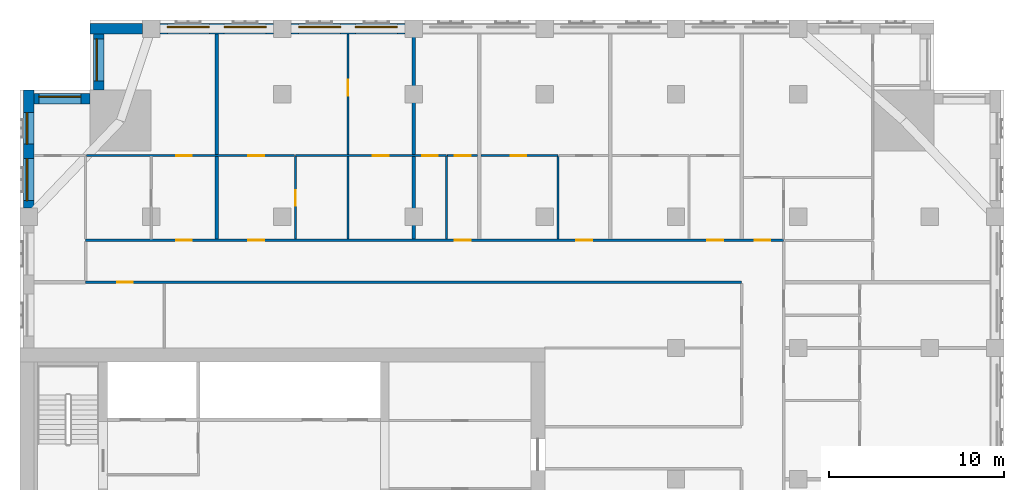
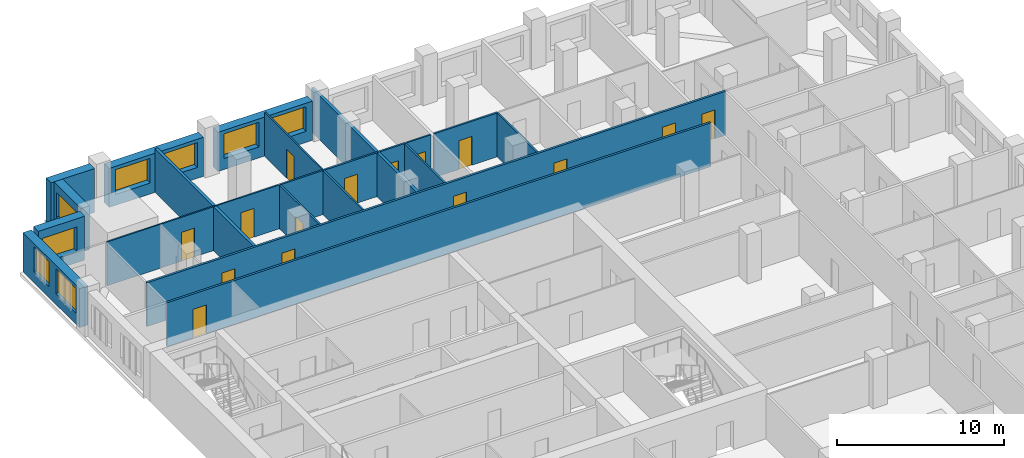
# One storey, part 9 of 14: 19 walls, 15 doors, 8 windows, 23 openings.
"""IFC4 building model written with IfcOpenShell, lengths in metres."""

from ifc_helpers import new_model, si_unit, direction, frame, frame_2d, origin, place, context, subcontext, project, spatial, rectangle, extrude, material, layer, layer_set, type_object, element, fill, save


model = new_model("IFC4")

# Units and contexts
model_context = context("Model", 3, precision=1e-05, world=origin(), true_north=direction((0.0, 1.0)))
body_context = subcontext(model_context, "Body", "Model", "MODEL_VIEW")
ifc_project = project(units=[si_unit("LENGTHUNIT", "METRE"), si_unit("AREAUNIT", "SQUARE_METRE"), si_unit("VOLUMEUNIT", "CUBIC_METRE"), si_unit("PLANEANGLEUNIT", "RADIAN"), si_unit("MASSUNIT", "GRAM", prefix="KILO")], contexts=[model_context])

# Site, building, storey
site_placement = place(None, origin())
site = spatial("IfcSite", under=ifc_project, at=site_placement, CompositionType="ELEMENT")
building_placement = place(site_placement, origin())
building = spatial("IfcBuilding", under=site, at=building_placement, Name="Tamorin Gate", CompositionType="ELEMENT")
storey_placement = place(building_placement, frame((0.0, 0.0, 162.60009765625)))
storey = spatial("IfcBuildingStorey", under=building, at=storey_placement, Name="L40", CompositionType="ELEMENT", Elevation=162.60009765625)

# Wall, openings, windows
ifc_material_1 = material(Name="Precast concrete C40/50", Category="concrete")
ifc_layer_1 = layer(ifc_material_1, 0.60009765625)
ifc_layer_set_1 = layer_set([ifc_layer_1], Name="Precast concrete C40/50")
wall_type_1 = type_object("IfcWallType", Name="Board-marked concrete facade panel 600", PredefinedType="SOLIDWALL", material=ifc_layer_set_1)
wall_1_placement = place(storey_placement, frame((52.0, 100.75, 0.0), z_axis=(0.0, 0.0, 1.0), x_axis=(-1.0, 0.0, 0.0)))
wall_1 = element("IfcWall", 1, at=wall_1_placement, inside=storey, type_object=wall_type_1, Name="Facade panel", PredefinedType="SOLIDWALL", context=body_context, shape_type="SweptSolid", body=[
    extrude(rectangle(XDim=6.5, YDim=0.60009765625, at=frame_2d((3.25, 0.0))), origin(), (0.0, 0.0, 1.0), 2.849853515625),
])
opening_1_placement = place(wall_1_placement, frame((3.675048828125, 0.0, 0.800048828125)))
opening_1 = element("IfcOpeningElement", 2, at=opening_1_placement, cuts=wall_1, Name="Opening WN1", PredefinedType="OPENING", context=body_context, shape_type="SweptSolid", body=[
    extrude(rectangle(XDim=2.39990234375, YDim=1.800048828125, at=frame_2d((1.199951171875, 0.89990234375))), frame((0.0, 0.31005859375, 0.0), z_axis=(0.0, -1.0, 0.0), x_axis=(1.0, 0.0, 0.0)), (0.0, 0.0, 1.0), 0.6201171875),
])
opening_2_placement = place(wall_1_placement, frame((0.425048828125, 0.0, 0.800048828125)))
opening_2 = element("IfcOpeningElement", 3, at=opening_2_placement, cuts=wall_1, Name="Opening WN1", PredefinedType="OPENING", context=body_context, shape_type="SweptSolid", body=[
    extrude(rectangle(XDim=2.39990234375, YDim=1.800048828125, at=frame_2d((1.199951171875, 0.89990234375))), frame((0.0, 0.31005859375, 0.0), z_axis=(0.0, -1.0, 0.0), x_axis=(1.0, 0.0, 0.0)), (0.0, 0.0, 1.0), 0.6201171875),
])
ifc_material_2 = material(Name="Clear glass in aluminium frame", Category="aluminium")
window_type_1 = type_object("IfcWindowType", Name="Deep-set window 2400x1800", PartitioningType="SINGLE_PANEL", PredefinedType="WINDOW", material=ifc_material_2)
window_1_placement = place(opening_1_placement, origin())
window_1 = element("IfcWindow", 4, at=window_1_placement, inside=storey, type_object=window_type_1, Name="Deep-set window", OverallHeight=1.800048828125, OverallWidth=2.39990234375, PartitioningType="SINGLE_PANEL", PredefinedType="WINDOW", context=body_context, shape_type="SweptSolid", body=[
    extrude(rectangle(XDim=2.39990234375, YDim=1.800048828125, at=frame_2d((1.199951171875, 0.89990234375))), frame((0.0, -0.070068359375, 0.0), z_axis=(0.0, -1.0, 0.0), x_axis=(1.0, 0.0, 0.0)), (0.0, 0.0, 1.0), 0.06005859375),
])
fill(opening_1, window_1)
window_2_placement = place(opening_2_placement, origin())
window_2 = element("IfcWindow", 5, at=window_2_placement, inside=storey, type_object=window_type_1, Name="Deep-set window", OverallHeight=1.800048828125, OverallWidth=2.39990234375, PartitioningType="SINGLE_PANEL", PredefinedType="WINDOW", context=body_context, shape_type="SweptSolid", body=[
    extrude(rectangle(XDim=2.39990234375, YDim=1.800048828125, at=frame_2d((1.199951171875, 0.89990234375))), frame((0.0, -0.070068359375, 0.0), z_axis=(0.0, -1.0, 0.0), x_axis=(1.0, 0.0, 0.0)), (0.0, 0.0, 1.0), 0.06005859375),
])
fill(opening_2, window_2)

wall_2_placement = place(storey_placement, frame((44.5, 100.75, 0.0), z_axis=(0.0, 0.0, 1.0), x_axis=(-1.0, 0.0, 0.0)))
wall_2 = element("IfcWall", 6, at=wall_2_placement, inside=storey, type_object=wall_type_1, Name="Facade panel", PredefinedType="SOLIDWALL", context=body_context, shape_type="SweptSolid", body=[
    extrude(rectangle(XDim=6.5, YDim=0.60009765625, at=frame_2d((3.25, 0.0))), origin(), (0.0, 0.0, 1.0), 2.849853515625),
])
opening_3_placement = place(wall_2_placement, frame((3.675048828125, 0.0, 0.800048828125)))
opening_3 = element("IfcOpeningElement", 7, at=opening_3_placement, cuts=wall_2, Name="Opening WN1", PredefinedType="OPENING", context=body_context, shape_type="SweptSolid", body=[
    extrude(rectangle(XDim=2.39990234375, YDim=1.800048828125, at=frame_2d((1.199951171875, 0.89990234375))), frame((0.0, 0.31005859375, 0.0), z_axis=(0.0, -1.0, 0.0), x_axis=(1.0, 0.0, 0.0)), (0.0, 0.0, 1.0), 0.6201171875),
])
opening_4_placement = place(wall_2_placement, frame((0.425048828125, 0.0, 0.800048828125)))
opening_4 = element("IfcOpeningElement", 8, at=opening_4_placement, cuts=wall_2, Name="Opening WN1", PredefinedType="OPENING", context=body_context, shape_type="SweptSolid", body=[
    extrude(rectangle(XDim=2.39990234375, YDim=1.800048828125, at=frame_2d((1.199951171875, 0.89990234375))), frame((0.0, 0.31005859375, 0.0), z_axis=(0.0, -1.0, 0.0), x_axis=(1.0, 0.0, 0.0)), (0.0, 0.0, 1.0), 0.6201171875),
])
window_3_placement = place(opening_3_placement, origin())
window_3 = element("IfcWindow", 9, at=window_3_placement, inside=storey, type_object=window_type_1, Name="Deep-set window", OverallHeight=1.800048828125, OverallWidth=2.39990234375, PartitioningType="SINGLE_PANEL", PredefinedType="WINDOW", context=body_context, shape_type="SweptSolid", body=[
    extrude(rectangle(XDim=2.39990234375, YDim=1.800048828125, at=frame_2d((1.199951171875, 0.89990234375))), frame((0.0, -0.070068359375, 0.0), z_axis=(0.0, -1.0, 0.0), x_axis=(1.0, 0.0, 0.0)), (0.0, 0.0, 1.0), 0.06005859375),
])
fill(opening_3, window_3)
window_4_placement = place(opening_4_placement, origin())
window_4 = element("IfcWindow", 10, at=window_4_placement, inside=storey, type_object=window_type_1, Name="Deep-set window", OverallHeight=1.800048828125, OverallWidth=2.39990234375, PartitioningType="SINGLE_PANEL", PredefinedType="WINDOW", context=body_context, shape_type="SweptSolid", body=[
    extrude(rectangle(XDim=2.39990234375, YDim=1.800048828125, at=frame_2d((1.199951171875, 0.89990234375))), frame((0.0, -0.070068359375, 0.0), z_axis=(0.0, -1.0, 0.0), x_axis=(1.0, 0.0, 0.0)), (0.0, 0.0, 1.0), 0.06005859375),
])
fill(opening_4, window_4)

# Wall
wall_3_placement = place(storey_placement, frame((37.0, 100.75, 0.0), z_axis=(0.0, 0.0, 1.0), x_axis=(-1.0, 0.0, 0.0)))
element("IfcWall", 11, at=wall_3_placement, inside=storey, type_object=wall_type_1, Name="Facade panel", PredefinedType="SOLIDWALL", context=body_context, shape_type="SweptSolid", body=[
    extrude(rectangle(XDim=3.0, YDim=0.60009765625, at=frame_2d((1.5, 0.0))), origin(), (0.0, 0.0, 1.0), 3.199951171875),
])

# Wall, opening, window
wall_4_placement = place(storey_placement, frame((34.5, 100.449951171875, 0.0), z_axis=(0.0, 0.0, 1.0), x_axis=(0.0, -1.0, 0.0)))
wall_4 = element("IfcWall", 12, at=wall_4_placement, inside=storey, type_object=wall_type_1, Name="Facade panel", PredefinedType="SOLIDWALL", context=body_context, shape_type="SweptSolid", body=[
    extrude(rectangle(XDim=3.199951171875, YDim=0.60009765625, at=frame_2d((1.60009765625, 0.0))), origin(), (0.0, 0.0, 1.0), 3.199951171875),
])
opening_5_placement = place(wall_4_placement, frame((0.27490234375, 0.0, 0.800048828125)))
opening_5 = element("IfcOpeningElement", 13, at=opening_5_placement, cuts=wall_4, Name="Opening WN1", PredefinedType="OPENING", context=body_context, shape_type="SweptSolid", body=[
    extrude(rectangle(XDim=2.39990234375, YDim=1.800048828125, at=frame_2d((1.199951171875, 0.89990234375))), frame((0.0, 0.31005859375, 0.0), z_axis=(0.0, -1.0, 0.0), x_axis=(1.0, 0.0, 0.0)), (0.0, 0.0, 1.0), 0.6201171875),
])
window_5_placement = place(opening_5_placement, origin())
window_5 = element("IfcWindow", 14, at=window_5_placement, inside=storey, type_object=window_type_1, Name="Deep-set window", OverallHeight=1.800048828125, OverallWidth=2.39990234375, PartitioningType="SINGLE_PANEL", PredefinedType="WINDOW", context=body_context, shape_type="SweptSolid", body=[
    extrude(rectangle(XDim=2.39990234375, YDim=1.800048828125, at=frame_2d((1.199951171875, 0.89990234375))), frame((0.0, -0.070068359375, 0.0), z_axis=(0.0, -1.0, 0.0), x_axis=(1.0, 0.0, 0.0)), (0.0, 0.0, 1.0), 0.06005859375),
])
fill(opening_5, window_5)

wall_5_placement = place(storey_placement, frame((34.0, 96.75, 0.0), z_axis=(0.0, 0.0, 1.0), x_axis=(-1.0, 0.0, 0.0)))
wall_5 = element("IfcWall", 15, at=wall_5_placement, inside=storey, type_object=wall_type_1, Name="Facade panel", PredefinedType="SOLIDWALL", context=body_context, shape_type="SweptSolid", body=[
    extrude(rectangle(XDim=3.199951171875, YDim=0.60009765625, at=frame_2d((1.60009765625, 0.0))), origin(), (0.0, 0.0, 1.0), 3.199951171875),
])
opening_6_placement = place(wall_5_placement, frame((0.52490234375, 0.0, 0.800048828125)))
opening_6 = element("IfcOpeningElement", 16, at=opening_6_placement, cuts=wall_5, Name="Opening WN1", PredefinedType="OPENING", context=body_context, shape_type="SweptSolid", body=[
    extrude(rectangle(XDim=2.39990234375, YDim=1.800048828125, at=frame_2d((1.199951171875, 0.89990234375))), frame((0.0, 0.31005859375, 0.0), z_axis=(0.0, -1.0, 0.0), x_axis=(1.0, 0.0, 0.0)), (0.0, 0.0, 1.0), 0.6201171875),
])
window_6_placement = place(opening_6_placement, origin())
window_6 = element("IfcWindow", 17, at=window_6_placement, inside=storey, type_object=window_type_1, Name="Deep-set window", OverallHeight=1.800048828125, OverallWidth=2.39990234375, PartitioningType="SINGLE_PANEL", PredefinedType="WINDOW", context=body_context, shape_type="SweptSolid", body=[
    extrude(rectangle(XDim=2.39990234375, YDim=1.800048828125, at=frame_2d((1.199951171875, 0.89990234375))), frame((0.0, -0.070068359375, 0.0), z_axis=(0.0, -1.0, 0.0), x_axis=(1.0, 0.0, 0.0)), (0.0, 0.0, 1.0), 0.06005859375),
])
fill(opening_6, window_6)

# Wall, openings, windows
wall_6_placement = place(storey_placement, frame((30.5, 97.25, 0.0), z_axis=(0.0, 0.0, 1.0), x_axis=(0.0, -1.0, 0.0)))
wall_6 = element("IfcWall", 18, at=wall_6_placement, inside=storey, type_object=wall_type_1, Name="Facade panel", PredefinedType="SOLIDWALL", context=body_context, shape_type="SweptSolid", body=[
    extrude(rectangle(XDim=6.75, YDim=0.60009765625, at=frame_2d((3.375, 0.0))), origin(), (0.0, 0.0, 1.0), 2.849853515625),
])
opening_7_placement = place(wall_6_placement, frame((3.925048828125, 0.0, 0.800048828125)))
opening_7 = element("IfcOpeningElement", 19, at=opening_7_placement, cuts=wall_6, Name="Opening WN1", PredefinedType="OPENING", context=body_context, shape_type="SweptSolid", body=[
    extrude(rectangle(XDim=2.39990234375, YDim=1.800048828125, at=frame_2d((1.199951171875, 0.89990234375))), frame((0.0, 0.31005859375, 0.0), z_axis=(0.0, -1.0, 0.0), x_axis=(1.0, 0.0, 0.0)), (0.0, 0.0, 1.0), 0.6201171875),
])
opening_8_placement = place(wall_6_placement, frame((1.300048828125, 0.0, 0.800048828125)))
opening_8 = element("IfcOpeningElement", 20, at=opening_8_placement, cuts=wall_6, Name="Opening WN2", PredefinedType="OPENING", context=body_context, shape_type="SweptSolid", body=[
    extrude(rectangle(XDim=1.800048828125, YDim=1.800048828125, at=frame_2d((0.89990234375, 0.89990234375))), frame((0.0, 0.31005859375, 0.0), z_axis=(0.0, -1.0, 0.0), x_axis=(1.0, 0.0, 0.0)), (0.0, 0.0, 1.0), 0.6201171875),
])
window_type_2 = type_object("IfcWindowType", Name="Deep-set window 1800x1800", PartitioningType="SINGLE_PANEL", PredefinedType="WINDOW", material=ifc_material_2)
window_7_placement = place(opening_8_placement, origin())
window_7 = element("IfcWindow", 21, at=window_7_placement, inside=storey, type_object=window_type_2, Name="Deep-set window", OverallHeight=1.800048828125, OverallWidth=1.800048828125, PartitioningType="SINGLE_PANEL", PredefinedType="WINDOW", context=body_context, shape_type="SweptSolid", body=[
    extrude(rectangle(XDim=1.800048828125, YDim=1.800048828125, at=frame_2d((0.89990234375, 0.89990234375))), frame((0.0, -0.070068359375, 0.0), z_axis=(0.0, -1.0, 0.0), x_axis=(1.0, 0.0, 0.0)), (0.0, 0.0, 1.0), 0.06005859375),
])
fill(opening_8, window_7)
window_8_placement = place(opening_7_placement, origin())
window_8 = element("IfcWindow", 22, at=window_8_placement, inside=storey, type_object=window_type_1, Name="Deep-set window", OverallHeight=1.800048828125, OverallWidth=2.39990234375, PartitioningType="SINGLE_PANEL", PredefinedType="WINDOW", context=body_context, shape_type="SweptSolid", body=[
    extrude(rectangle(XDim=2.39990234375, YDim=1.800048828125, at=frame_2d((1.199951171875, 0.89990234375))), frame((0.0, -0.070068359375, 0.0), z_axis=(0.0, -1.0, 0.0), x_axis=(1.0, 0.0, 0.0)), (0.0, 0.0, 1.0), 0.06005859375),
])
fill(opening_7, window_8)

# Wall, opening, door
ifc_material_3 = material(Name="Gypsum board partition")
ifc_layer_2 = layer(ifc_material_3, 0.14990234375)
ifc_layer_set_2 = layer_set([ifc_layer_2], Name="Corridor wall 150")
wall_type_2 = type_object("IfcWallType", Name="Corridor wall 150", PredefinedType="PARTITIONING", material=ifc_layer_set_2)
wall_7_placement = place(storey_placement, frame((33.75, 86.25, 0.0), z_axis=(0.0, 0.0, 1.0), x_axis=(1.0, 0.0, 0.0)))
wall_7 = element("IfcWall", 23, at=wall_7_placement, inside=storey, type_object=wall_type_2, Name="Corridor wall 150", PredefinedType="PARTITIONING", context=body_context, shape_type="SweptSolid", body=[
    extrude(rectangle(XDim=37.5, YDim=0.14990234375, at=frame_2d((18.75, 0.0))), origin(), (0.0, 0.0, 1.0), 3.199951171875),
])
opening_9_placement = place(wall_7_placement, frame((1.800048828125, 0.0, 0.0)))
opening_9 = element("IfcOpeningElement", 24, at=opening_9_placement, cuts=wall_7, Name="Opening DS2070", PredefinedType="OPENING", context=body_context, shape_type="SweptSolid", body=[
    extrude(rectangle(XDim=0.89990234375, YDim=2.10009765625, at=frame_2d((0.449951171875, 1.050048828125))), frame((0.0, 0.0849609375, 0.0), z_axis=(0.0, -1.0, 0.0), x_axis=(1.0, 0.0, 0.0)), (0.0, 0.0, 1.0), 0.169921875),
])
ifc_material_4 = material(Name="Timber door leaf", Category="wood")
door_type_1 = type_object("IfcDoorType", Name="Door 900 x 2100 FD30S", OperationType="NOTDEFINED", PredefinedType="DOOR", material=ifc_material_4)
door_1_placement = place(opening_9_placement, origin())
door_1 = element("IfcDoor", 25, at=door_1_placement, inside=storey, type_object=door_type_1, Name="Door DS2070", OperationType="SINGLE_SWING_RIGHT", OverallHeight=2.10009765625, OverallWidth=0.89990234375, PredefinedType="DOOR", context=body_context, shape_type="SweptSolid", body=[
    extrude(rectangle(XDim=0.89990234375, YDim=2.10009765625, at=frame_2d((0.449951171875, 1.050048828125))), frame((0.0, 0.02490234375, 0.0), z_axis=(0.0, -1.0, 0.0), x_axis=(1.0, 0.0, 0.0)), (0.0, 0.0, 1.0), 0.050048828125),
])
fill(opening_9, door_1)

# Wall, openings, doors
wall_8_placement = place(storey_placement, frame((33.75, 88.64990234375, 0.0), z_axis=(0.0, 0.0, 1.0), x_axis=(1.0, 0.0, 0.0)))
wall_8 = element("IfcWall", 26, at=wall_8_placement, inside=storey, type_object=wall_type_2, Name="Corridor wall 150", PredefinedType="PARTITIONING", context=body_context, shape_type="SweptSolid", body=[
    extrude(rectangle(XDim=39.89990234375, YDim=0.14990234375, at=frame_2d((19.949951171875, 0.0))), origin(), (0.0, 0.0, 1.0), 3.199951171875),
])
opening_10_placement = place(wall_8_placement, frame((5.175048828125, 0.0, 0.0)))
opening_10 = element("IfcOpeningElement", 27, at=opening_10_placement, cuts=wall_8, Name="Opening DS2021", PredefinedType="OPENING", context=body_context, shape_type="SweptSolid", body=[
    extrude(rectangle(XDim=0.89990234375, YDim=2.10009765625, at=frame_2d((0.449951171875, 1.050048828125))), frame((0.0, 0.0849609375, 0.0), z_axis=(0.0, -1.0, 0.0), x_axis=(1.0, 0.0, 0.0)), (0.0, 0.0, 1.0), 0.169921875),
])
opening_11_placement = place(wall_8_placement, frame((9.300048828125, 0.0, 0.0)))
opening_11 = element("IfcOpeningElement", 28, at=opening_11_placement, cuts=wall_8, Name="Opening DS2023", PredefinedType="OPENING", context=body_context, shape_type="SweptSolid", body=[
    extrude(rectangle(XDim=0.89990234375, YDim=2.10009765625, at=frame_2d((0.449951171875, 1.050048828125))), frame((0.0, 0.0849609375, 0.0), z_axis=(0.0, -1.0, 0.0), x_axis=(1.0, 0.0, 0.0)), (0.0, 0.0, 1.0), 0.169921875),
])
opening_12_placement = place(wall_8_placement, frame((21.112548828125, 0.0, 0.0)))
opening_12 = element("IfcOpeningElement", 29, at=opening_12_placement, cuts=wall_8, Name="Opening DS2029", PredefinedType="OPENING", context=body_context, shape_type="SweptSolid", body=[
    extrude(rectangle(XDim=0.89990234375, YDim=2.10009765625, at=frame_2d((0.449951171875, 1.050048828125))), frame((0.0, 0.0849609375, 0.0), z_axis=(0.0, -1.0, 0.0), x_axis=(1.0, 0.0, 0.0)), (0.0, 0.0, 1.0), 0.169921875),
])
opening_13_placement = place(wall_8_placement, frame((28.050048828125, 0.0, 0.0)))
opening_13 = element("IfcOpeningElement", 30, at=opening_13_placement, cuts=wall_8, Name="Opening DS2032", PredefinedType="OPENING", context=body_context, shape_type="SweptSolid", body=[
    extrude(rectangle(XDim=0.89990234375, YDim=2.10009765625, at=frame_2d((0.449951171875, 1.050048828125))), frame((0.0, 0.0849609375, 0.0), z_axis=(0.0, -1.0, 0.0), x_axis=(1.0, 0.0, 0.0)), (0.0, 0.0, 1.0), 0.169921875),
])
opening_14_placement = place(wall_8_placement, frame((35.550048828125, 0.0, 0.0)))
opening_14 = element("IfcOpeningElement", 31, at=opening_14_placement, cuts=wall_8, Name="Opening DS2035", PredefinedType="OPENING", context=body_context, shape_type="SweptSolid", body=[
    extrude(rectangle(XDim=0.89990234375, YDim=2.10009765625, at=frame_2d((0.449951171875, 1.050048828125))), frame((0.0, 0.0849609375, 0.0), z_axis=(0.0, -1.0, 0.0), x_axis=(1.0, 0.0, 0.0)), (0.0, 0.0, 1.0), 0.169921875),
])
opening_15_placement = place(wall_8_placement, frame((38.25, 0.0, 0.0)))
opening_15 = element("IfcOpeningElement", 32, at=opening_15_placement, cuts=wall_8, Name="Opening DS2060", PredefinedType="OPENING", context=body_context, shape_type="SweptSolid", body=[
    extrude(rectangle(XDim=0.89990234375, YDim=2.10009765625, at=frame_2d((0.449951171875, 1.050048828125))), frame((0.0, 0.0849609375, 0.0), z_axis=(0.0, -1.0, 0.0), x_axis=(1.0, 0.0, 0.0)), (0.0, 0.0, 1.0), 0.169921875),
])
door_2_placement = place(opening_10_placement, origin())
door_2 = element("IfcDoor", 33, at=door_2_placement, inside=storey, type_object=door_type_1, Name="Door DS2021", OperationType="SINGLE_SWING_LEFT", OverallHeight=2.10009765625, OverallWidth=0.89990234375, PredefinedType="DOOR", context=body_context, shape_type="SweptSolid", body=[
    extrude(rectangle(XDim=0.89990234375, YDim=2.10009765625, at=frame_2d((0.449951171875, 1.050048828125))), frame((0.0, 0.02490234375, 0.0), z_axis=(0.0, -1.0, 0.0), x_axis=(1.0, 0.0, 0.0)), (0.0, 0.0, 1.0), 0.050048828125),
])
fill(opening_10, door_2)
door_3_placement = place(opening_11_placement, origin())
door_3 = element("IfcDoor", 34, at=door_3_placement, inside=storey, type_object=door_type_1, Name="Door DS2023", OperationType="SINGLE_SWING_LEFT", OverallHeight=2.10009765625, OverallWidth=0.89990234375, PredefinedType="DOOR", context=body_context, shape_type="SweptSolid", body=[
    extrude(rectangle(XDim=0.89990234375, YDim=2.10009765625, at=frame_2d((0.449951171875, 1.050048828125))), frame((0.0, 0.02490234375, 0.0), z_axis=(0.0, -1.0, 0.0), x_axis=(1.0, 0.0, 0.0)), (0.0, 0.0, 1.0), 0.050048828125),
])
fill(opening_11, door_3)
door_4_placement = place(opening_12_placement, origin())
door_4 = element("IfcDoor", 35, at=door_4_placement, inside=storey, type_object=door_type_1, Name="Door DS2029", OperationType="SINGLE_SWING_LEFT", OverallHeight=2.10009765625, OverallWidth=0.89990234375, PredefinedType="DOOR", context=body_context, shape_type="SweptSolid", body=[
    extrude(rectangle(XDim=0.89990234375, YDim=2.10009765625, at=frame_2d((0.449951171875, 1.050048828125))), frame((0.0, 0.02490234375, 0.0), z_axis=(0.0, -1.0, 0.0), x_axis=(1.0, 0.0, 0.0)), (0.0, 0.0, 1.0), 0.050048828125),
])
fill(opening_12, door_4)
door_5_placement = place(opening_13_placement, origin())
door_5 = element("IfcDoor", 36, at=door_5_placement, inside=storey, type_object=door_type_1, Name="Door DS2032", OperationType="SINGLE_SWING_LEFT", OverallHeight=2.10009765625, OverallWidth=0.89990234375, PredefinedType="DOOR", context=body_context, shape_type="SweptSolid", body=[
    extrude(rectangle(XDim=0.89990234375, YDim=2.10009765625, at=frame_2d((0.449951171875, 1.050048828125))), frame((0.0, 0.02490234375, 0.0), z_axis=(0.0, -1.0, 0.0), x_axis=(1.0, 0.0, 0.0)), (0.0, 0.0, 1.0), 0.050048828125),
])
fill(opening_13, door_5)
door_6_placement = place(opening_14_placement, origin())
door_6 = element("IfcDoor", 37, at=door_6_placement, inside=storey, type_object=door_type_1, Name="Door DS2035", OperationType="SINGLE_SWING_LEFT", OverallHeight=2.10009765625, OverallWidth=0.89990234375, PredefinedType="DOOR", context=body_context, shape_type="SweptSolid", body=[
    extrude(rectangle(XDim=0.89990234375, YDim=2.10009765625, at=frame_2d((0.449951171875, 1.050048828125))), frame((0.0, 0.02490234375, 0.0), z_axis=(0.0, -1.0, 0.0), x_axis=(1.0, 0.0, 0.0)), (0.0, 0.0, 1.0), 0.050048828125),
])
fill(opening_14, door_6)
door_7_placement = place(opening_15_placement, origin())
door_7 = element("IfcDoor", 38, at=door_7_placement, inside=storey, type_object=door_type_1, Name="Door DS2060", OperationType="SINGLE_SWING_RIGHT", OverallHeight=2.10009765625, OverallWidth=0.89990234375, PredefinedType="DOOR", context=body_context, shape_type="SweptSolid", body=[
    extrude(rectangle(XDim=0.89990234375, YDim=2.10009765625, at=frame_2d((0.449951171875, 1.050048828125))), frame((0.0, 0.02490234375, 0.0), z_axis=(0.0, -1.0, 0.0), x_axis=(1.0, 0.0, 0.0)), (0.0, 0.0, 1.0), 0.050048828125),
])
fill(opening_15, door_7)

# Walls
ifc_layer_3 = layer(ifc_material_3, 0.199951171875)
ifc_layer_set_3 = layer_set([ifc_layer_3], Name="Demising wall 200")
wall_type_3 = type_object("IfcWallType", Name="Demising wall 200", PredefinedType="PARTITIONING", material=ifc_layer_set_3)
wall_9_placement = place(storey_placement, frame((41.25, 88.72509765625, 0.0), z_axis=(0.0, 0.0, 1.0), x_axis=(0.0, 1.0, 0.0)))
element("IfcWall", 39, at=wall_9_placement, inside=storey, type_object=wall_type_3, Name="Demising wall 200", PredefinedType="PARTITIONING", context=body_context, shape_type="SweptSolid", body=[
    extrude(rectangle(XDim=11.71484375, YDim=0.199951171875, at=frame_2d((5.857421875, 0.0))), origin(), (0.0, 0.0, 1.0), 3.199951171875),
])
wall_10_placement = place(storey_placement, frame((52.5, 88.72509765625, 0.0), z_axis=(0.0, 0.0, 1.0), x_axis=(0.0, 1.0, 0.0)))
element("IfcWall", 40, at=wall_10_placement, inside=storey, type_object=wall_type_3, Name="Demising wall 200", PredefinedType="PARTITIONING", context=body_context, shape_type="SweptSolid", body=[
    extrude(rectangle(XDim=12.52490234375, YDim=0.199951171875, at=frame_2d((6.262451171875, 0.0))), origin(), (0.0, 0.0, 1.0), 3.199951171875),
])

# Wall, openings, doors
ifc_layer_4 = layer(ifc_material_3, 0.10009765625)
ifc_layer_set_4 = layer_set([ifc_layer_4], Name="Room partition 100")
wall_type_4 = type_object("IfcWallType", Name="Room partition 100", PredefinedType="PARTITIONING", material=ifc_layer_set_4)
wall_11_placement = place(storey_placement, frame((33.8125, 93.5, 0.0), z_axis=(0.0, 0.0, 1.0), x_axis=(1.0, 0.0, 0.0)))
wall_11 = element("IfcWall", 41, at=wall_11_placement, inside=storey, type_object=wall_type_4, Name="Room partition 100", PredefinedType="PARTITIONING", context=body_context, shape_type="SweptSolid", body=[
    extrude(rectangle(XDim=11.875, YDim=0.10009765625, at=frame_2d((5.9375, 0.0))), origin(), (0.0, 0.0, 1.0), 3.199951171875),
])
opening_16_placement = place(wall_11_placement, frame((5.112548828125, 0.0, 0.0)))
opening_16 = element("IfcOpeningElement", 42, at=opening_16_placement, cuts=wall_11, Name="Opening DS2022", PredefinedType="OPENING", context=body_context, shape_type="SweptSolid", body=[
    extrude(rectangle(XDim=0.89990234375, YDim=2.10009765625, at=frame_2d((0.449951171875, 1.050048828125))), frame((0.0, 0.06005859375, 0.0), z_axis=(0.0, -1.0, 0.0), x_axis=(1.0, 0.0, 0.0)), (0.0, 0.0, 1.0), 0.1201171875),
])
opening_17_placement = place(wall_11_placement, frame((9.237548828125, 0.0, 0.0)))
opening_17 = element("IfcOpeningElement", 43, at=opening_17_placement, cuts=wall_11, Name="Opening DS2024", PredefinedType="OPENING", context=body_context, shape_type="SweptSolid", body=[
    extrude(rectangle(XDim=0.89990234375, YDim=2.10009765625, at=frame_2d((0.449951171875, 1.050048828125))), frame((0.0, 0.06005859375, 0.0), z_axis=(0.0, -1.0, 0.0), x_axis=(1.0, 0.0, 0.0)), (0.0, 0.0, 1.0), 0.1201171875),
])
door_type_2 = type_object("IfcDoorType", Name="Door 900 x 2100", OperationType="NOTDEFINED", PredefinedType="DOOR", material=ifc_material_4)
door_8_placement = place(opening_16_placement, origin())
door_8 = element("IfcDoor", 44, at=door_8_placement, inside=storey, type_object=door_type_2, Name="Door DS2022", OperationType="SINGLE_SWING_RIGHT", OverallHeight=2.10009765625, OverallWidth=0.89990234375, PredefinedType="DOOR", context=body_context, shape_type="SweptSolid", body=[
    extrude(rectangle(XDim=0.89990234375, YDim=2.10009765625, at=frame_2d((0.449951171875, 1.050048828125))), frame((0.0, 0.02490234375, 0.0), z_axis=(0.0, -1.0, 0.0), x_axis=(1.0, 0.0, 0.0)), (0.0, 0.0, 1.0), 0.050048828125),
])
fill(opening_16, door_8)
door_9_placement = place(opening_17_placement, origin())
door_9 = element("IfcDoor", 45, at=door_9_placement, inside=storey, type_object=door_type_2, Name="Door DS2024", OperationType="SINGLE_SWING_RIGHT", OverallHeight=2.10009765625, OverallWidth=0.89990234375, PredefinedType="DOOR", context=body_context, shape_type="SweptSolid", body=[
    extrude(rectangle(XDim=0.89990234375, YDim=2.10009765625, at=frame_2d((0.449951171875, 1.050048828125))), frame((0.0, 0.02490234375, 0.0), z_axis=(0.0, -1.0, 0.0), x_axis=(1.0, 0.0, 0.0)), (0.0, 0.0, 1.0), 0.050048828125),
])
fill(opening_17, door_9)

# Wall, opening, door
wall_12_placement = place(storey_placement, frame((54.4375, 93.5, 0.0), z_axis=(0.0, 0.0, 1.0), x_axis=(1.0, 0.0, 0.0)))
wall_12 = element("IfcWall", 46, at=wall_12_placement, inside=storey, type_object=wall_type_4, Name="Room partition 100", PredefinedType="PARTITIONING", context=body_context, shape_type="SweptSolid", body=[
    extrude(rectangle(XDim=1.71240234375, YDim=0.10009765625, at=frame_2d((0.856201171875, 0.0))), origin(), (0.0, 0.0, 1.0), 3.199951171875),
])
opening_18_placement = place(wall_12_placement, frame((0.425048828125, 0.0, 0.0)))
opening_18 = element("IfcOpeningElement", 47, at=opening_18_placement, cuts=wall_12, Name="Opening DS2030", PredefinedType="OPENING", context=body_context, shape_type="SweptSolid", body=[
    extrude(rectangle(XDim=0.89990234375, YDim=2.10009765625, at=frame_2d((0.449951171875, 1.050048828125))), frame((0.0, 0.06005859375, 0.0), z_axis=(0.0, -1.0, 0.0), x_axis=(1.0, 0.0, 0.0)), (0.0, 0.0, 1.0), 0.1201171875),
])
door_10_placement = place(opening_18_placement, origin())
door_10 = element("IfcDoor", 48, at=door_10_placement, inside=storey, type_object=door_type_2, Name="Door DS2030", OperationType="SINGLE_SWING_RIGHT", OverallHeight=2.10009765625, OverallWidth=0.89990234375, PredefinedType="DOOR", context=body_context, shape_type="SweptSolid", body=[
    extrude(rectangle(XDim=0.89990234375, YDim=2.10009765625, at=frame_2d((0.449951171875, 1.050048828125))), frame((0.0, 0.02490234375, 0.0), z_axis=(0.0, -1.0, 0.0), x_axis=(1.0, 0.0, 0.0)), (0.0, 0.0, 1.0), 0.050048828125),
])
fill(opening_18, door_10)

wall_13_placement = place(storey_placement, frame((48.75, 93.5625, 0.0), z_axis=(0.0, 0.0, 1.0), x_axis=(0.0, 1.0, 0.0)))
wall_13 = element("IfcWall", 49, at=wall_13_placement, inside=storey, type_object=wall_type_4, Name="Room partition 100", PredefinedType="PARTITIONING", context=body_context, shape_type="SweptSolid", body=[
    extrude(rectangle(XDim=6.87744140625, YDim=0.10009765625, at=frame_2d((3.438720703125, 0.0))), origin(), (0.0, 0.0, 1.0), 3.199951171875),
])
opening_19_placement = place(wall_13_placement, frame((3.362548828125, 0.0, 0.0)))
opening_19 = element("IfcOpeningElement", 50, at=opening_19_placement, cuts=wall_13, Name="Opening DS2027", PredefinedType="OPENING", context=body_context, shape_type="SweptSolid", body=[
    extrude(rectangle(XDim=0.89990234375, YDim=2.10009765625, at=frame_2d((0.449951171875, 1.050048828125))), frame((0.0, 0.06005859375, 0.0), z_axis=(0.0, -1.0, 0.0), x_axis=(1.0, 0.0, 0.0)), (0.0, 0.0, 1.0), 0.1201171875),
])
door_11_placement = place(opening_19_placement, origin())
door_11 = element("IfcDoor", 51, at=door_11_placement, inside=storey, type_object=door_type_2, Name="Door DS2027", OperationType="SINGLE_SWING_LEFT", OverallHeight=2.10009765625, OverallWidth=0.89990234375, PredefinedType="DOOR", context=body_context, shape_type="SweptSolid", body=[
    extrude(rectangle(XDim=0.89990234375, YDim=2.10009765625, at=frame_2d((0.449951171875, 1.050048828125))), frame((0.0, 0.02490234375, 0.0), z_axis=(0.0, -1.0, 0.0), x_axis=(1.0, 0.0, 0.0)), (0.0, 0.0, 1.0), 0.050048828125),
])
fill(opening_19, door_11)

# Wall, openings, doors
ifc_layer_5 = layer(ifc_material_3, 0.125)
ifc_layer_set_5 = layer_set([ifc_layer_5], Name="Wet wall 125")
wall_type_5 = type_object("IfcWallType", Name="Wet wall 125", PredefinedType="PARTITIONING", material=ifc_layer_set_5)
wall_14_placement = place(storey_placement, frame((45.75, 93.5, 0.0), z_axis=(0.0, 0.0, 1.0), x_axis=(1.0, 0.0, 0.0)))
wall_14 = element("IfcWall", 52, at=wall_14_placement, inside=storey, type_object=wall_type_5, Name="Wet wall 125", PredefinedType="PARTITIONING", context=body_context, shape_type="SweptSolid", body=[
    extrude(rectangle(XDim=8.625, YDim=0.125, at=frame_2d((4.3125, 0.0))), origin(), (0.0, 0.0, 1.0), 3.199951171875),
])
opening_20_placement = place(wall_14_placement, frame((4.425048828125, 0.0, 0.0)))
opening_20 = element("IfcOpeningElement", 53, at=opening_20_placement, cuts=wall_14, Name="Opening DS2026", PredefinedType="OPENING", context=body_context, shape_type="SweptSolid", body=[
    extrude(rectangle(XDim=0.89990234375, YDim=2.10009765625, at=frame_2d((0.449951171875, 1.050048828125))), frame((0.0, 0.072509765625, 0.0), z_axis=(0.0, -1.0, 0.0), x_axis=(1.0, 0.0, 0.0)), (0.0, 0.0, 1.0), 0.14501953125),
])
opening_21_placement = place(wall_14_placement, frame((7.237548828125, 0.0, 0.0)))
opening_21 = element("IfcOpeningElement", 54, at=opening_21_placement, cuts=wall_14, Name="Opening DS2028", PredefinedType="OPENING", context=body_context, shape_type="SweptSolid", body=[
    extrude(rectangle(XDim=0.89990234375, YDim=2.10009765625, at=frame_2d((0.449951171875, 1.050048828125))), frame((0.0, 0.072509765625, 0.0), z_axis=(0.0, -1.0, 0.0), x_axis=(1.0, 0.0, 0.0)), (0.0, 0.0, 1.0), 0.14501953125),
])
door_12_placement = place(opening_20_placement, origin())
door_12 = element("IfcDoor", 55, at=door_12_placement, inside=storey, type_object=door_type_2, Name="Door DS2026", OperationType="SINGLE_SWING_RIGHT", OverallHeight=2.10009765625, OverallWidth=0.89990234375, PredefinedType="DOOR", context=body_context, shape_type="SweptSolid", body=[
    extrude(rectangle(XDim=0.89990234375, YDim=2.10009765625, at=frame_2d((0.449951171875, 1.050048828125))), frame((0.0, 0.02490234375, 0.0), z_axis=(0.0, -1.0, 0.0), x_axis=(1.0, 0.0, 0.0)), (0.0, 0.0, 1.0), 0.050048828125),
])
fill(opening_20, door_12)
door_13_placement = place(opening_21_placement, origin())
door_13 = element("IfcDoor", 56, at=door_13_placement, inside=storey, type_object=door_type_2, Name="Door DS2028", OperationType="SINGLE_SWING_RIGHT", OverallHeight=2.10009765625, OverallWidth=0.89990234375, PredefinedType="DOOR", context=body_context, shape_type="SweptSolid", body=[
    extrude(rectangle(XDim=0.89990234375, YDim=2.10009765625, at=frame_2d((0.449951171875, 1.050048828125))), frame((0.0, 0.02490234375, 0.0), z_axis=(0.0, -1.0, 0.0), x_axis=(1.0, 0.0, 0.0)), (0.0, 0.0, 1.0), 0.050048828125),
])
fill(opening_21, door_13)

# Wall, opening, door
wall_15_placement = place(storey_placement, frame((56.35009765625, 93.5, 0.0), z_axis=(0.0, 0.0, 1.0), x_axis=(1.0, 0.0, 0.0)))
wall_15 = element("IfcWall", 57, at=wall_15_placement, inside=storey, type_object=wall_type_5, Name="Wet wall 125", PredefinedType="PARTITIONING", context=body_context, shape_type="SweptSolid", body=[
    extrude(rectangle(XDim=4.39990234375, YDim=0.125, at=frame_2d((2.199951171875, 0.0))), origin(), (0.0, 0.0, 1.0), 3.199951171875),
])
opening_22_placement = place(wall_15_placement, frame((1.699951171875, 0.0, 0.0)))
opening_22 = element("IfcOpeningElement", 58, at=opening_22_placement, cuts=wall_15, Name="Opening DS2031", PredefinedType="OPENING", context=body_context, shape_type="SweptSolid", body=[
    extrude(rectangle(XDim=0.89990234375, YDim=2.10009765625, at=frame_2d((0.449951171875, 1.050048828125))), frame((0.0, 0.072509765625, 0.0), z_axis=(0.0, -1.0, 0.0), x_axis=(1.0, 0.0, 0.0)), (0.0, 0.0, 1.0), 0.14501953125),
])
door_14_placement = place(opening_22_placement, origin())
door_14 = element("IfcDoor", 59, at=door_14_placement, inside=storey, type_object=door_type_2, Name="Door DS2031", OperationType="SINGLE_SWING_RIGHT", OverallHeight=2.10009765625, OverallWidth=0.89990234375, PredefinedType="DOOR", context=body_context, shape_type="SweptSolid", body=[
    extrude(rectangle(XDim=0.89990234375, YDim=2.10009765625, at=frame_2d((0.449951171875, 1.050048828125))), frame((0.0, 0.02490234375, 0.0), z_axis=(0.0, -1.0, 0.0), x_axis=(1.0, 0.0, 0.0)), (0.0, 0.0, 1.0), 0.050048828125),
])
fill(opening_22, door_14)

wall_16_placement = place(storey_placement, frame((45.75, 88.72509765625, 0.0), z_axis=(0.0, 0.0, 1.0), x_axis=(0.0, 1.0, 0.0)))
wall_16 = element("IfcWall", 60, at=wall_16_placement, inside=storey, type_object=wall_type_5, Name="Wet wall 125", PredefinedType="PARTITIONING", context=body_context, shape_type="SweptSolid", body=[
    extrude(rectangle(XDim=4.71240234375, YDim=0.125, at=frame_2d((2.356201171875, 0.0))), origin(), (0.0, 0.0, 1.0), 3.199951171875),
])
opening_23_placement = place(wall_16_placement, frame((1.89990234375, 0.0, 0.0)))
opening_23 = element("IfcOpeningElement", 61, at=opening_23_placement, cuts=wall_16, Name="Opening DS2025", PredefinedType="OPENING", context=body_context, shape_type="SweptSolid", body=[
    extrude(rectangle(XDim=0.89990234375, YDim=2.10009765625, at=frame_2d((0.449951171875, 1.050048828125))), frame((0.0, 0.072509765625, 0.0), z_axis=(0.0, -1.0, 0.0), x_axis=(1.0, 0.0, 0.0)), (0.0, 0.0, 1.0), 0.14501953125),
])
door_15_placement = place(opening_23_placement, origin())
door_15 = element("IfcDoor", 62, at=door_15_placement, inside=storey, type_object=door_type_2, Name="Door DS2025", OperationType="SINGLE_SWING_LEFT", OverallHeight=2.10009765625, OverallWidth=0.89990234375, PredefinedType="DOOR", context=body_context, shape_type="SweptSolid", body=[
    extrude(rectangle(XDim=0.89990234375, YDim=2.10009765625, at=frame_2d((0.449951171875, 1.050048828125))), frame((0.0, 0.02490234375, 0.0), z_axis=(0.0, -1.0, 0.0), x_axis=(1.0, 0.0, 0.0)), (0.0, 0.0, 1.0), 0.050048828125),
])
fill(opening_23, door_15)

# Walls
for number, where, z_axis, x_axis, name in (
    (63, (48.75, 88.72509765625, 0.0), (0.0, 0.0, 1.0), (0.0, 1.0, 0.0), "Wet wall 125"),
    (64, (54.375, 88.72509765625, 0.0), (0.0, 0.0, 1.0), (0.0, 1.0, 0.0), "Wet wall 125"),
    (65, (60.75, 88.72509765625, 0.0), (0.0, 0.0, 1.0), (0.0, 1.0, 0.0), "Wet wall 125"),
):
    element("IfcWall", number, at=place(storey_placement, frame(where, z_axis=z_axis, x_axis=x_axis)), inside=storey, type_object=wall_type_5, Name=name, PredefinedType="PARTITIONING", context=body_context, shape_type="SweptSolid", body=[
        extrude(rectangle(XDim=4.71240234375, YDim=0.125, at=frame_2d((2.356201171875, 0.0))), origin(), (0.0, 0.0, 1.0), 3.199951171875),
    ])

save(model, "model.ifc")
